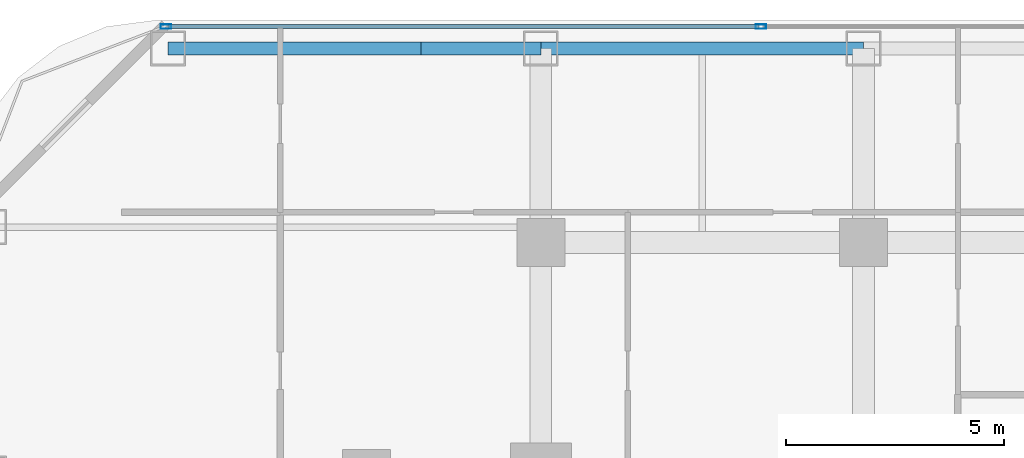
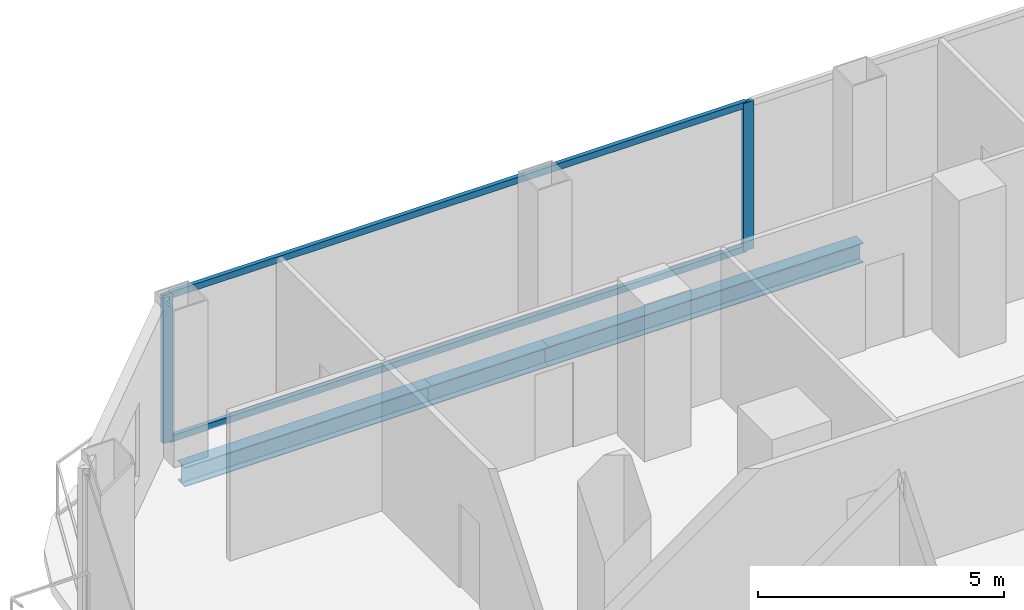
# One storey, part 15 of 29: 4 members, 3 beams, 1 element without a shape of its own.
"""IFC4 building model written with IfcOpenShell, lengths in metres."""

from ifc_helpers import new_model, si_unit, direction, frame, origin, origin_2d, place, context, subcontext, project, spatial, hollow_rectangle, i_section, extrude, material, layer, layer_set, material_profile, profile_set, type_object, element, aggregate, save


model = new_model("IFC4")

# Units and contexts
model_context = context("Model", 3, precision=1e-05, world=origin(), true_north=direction((0.0, 1.0)))
body_context = subcontext(model_context, "Body", "Model", "MODEL_VIEW")
ifc_project = project(units=[si_unit("LENGTHUNIT", "METRE"), si_unit("AREAUNIT", "SQUARE_METRE"), si_unit("VOLUMEUNIT", "CUBIC_METRE"), si_unit("PLANEANGLEUNIT", "RADIAN"), si_unit("MASSUNIT", "GRAM", prefix="KILO")], contexts=[model_context])

# Site, building, storey
site_placement = place(None, origin())
site = spatial("IfcSite", under=ifc_project, at=site_placement, CompositionType="ELEMENT")
building_placement = place(site_placement, origin())
building = spatial("IfcBuilding", under=site, at=building_placement, Name="Khorvyn Point Tower", CompositionType="ELEMENT")
storey_placement = place(building_placement, frame((0.0, 0.0, 54.0)))
storey = spatial("IfcBuildingStorey", under=building, at=storey_placement, Name="L14", CompositionType="ELEMENT", Elevation=54.0)

# Curtain wall, members
ifc_material_1 = material(Name="Anodised aluminium 6063-T6 and laminated Low-E glass", Category="aluminium")
ifc_layer = layer(ifc_material_1, 0.18994140625)
ifc_layer_set = layer_set([ifc_layer], Name="Stick-Built Finned Residential Curtain Wall CW-SYS-02")
curtain_wall_type = type_object("IfcCurtainWallType", Name="Stick-Built Finned Residential Curtain Wall CW-SYS-02", PredefinedType="NOTDEFINED", material=ifc_layer_set)
curtain_wall_placement = place(storey_placement, origin())
curtain_wall = element("IfcCurtainWall", 1, at=curtain_wall_placement, inside=storey, type_object=curtain_wall_type, Name="Curtain Wall", PredefinedType="NOTDEFINED")
ifc_material_2 = material(Name="Anodised aluminium 6063-T6", Category="aluminium")
ifc_material_profile_1 = material_profile(ifc_material_2, hollow_rectangle(XDim=0.10009765625, YDim=0.239990234375, WallThickness=0.0048828125, at=origin_2d()))
ifc_profile_set_1 = profile_set([ifc_material_profile_1], Name="Anodised aluminium 6063-T6 ALU-MUL-100x240")
member_type_1 = type_object("IfcMemberType", Name="Anodised Aluminium 6063-T6 Mullion ALU-MUL-100x240", PredefinedType="MULLION", material=ifc_profile_set_1)
member_1_placement = place(storey_placement, frame((-23.39990234375, 25.050048828125, 0.0), z_axis=(0.0, 0.0, 1.0), x_axis=(0.0, 1.0, 0.0)))
member_1 = element("IfcMember", 2, at=member_1_placement, type_object=member_type_1, Name="Transom", PredefinedType="MULLION", context=body_context, shape_type="SweptSolid", body=[
    extrude(hollow_rectangle(XDim=0.10009765625, YDim=0.239990234375, WallThickness=0.0048828125, at=origin_2d()), origin(), (0.0, 0.0, 1.0), 3.679931640625),
])
member_2_placement = place(storey_placement, frame((-9.75, 25.050048828125, 0.0), z_axis=(0.0, 0.0, 1.0), x_axis=(0.0, 1.0, 0.0)))
member_2 = element("IfcMember", 3, at=member_2_placement, type_object=member_type_1, Name="Transom", PredefinedType="MULLION", context=body_context, shape_type="SweptSolid", body=[
    extrude(hollow_rectangle(XDim=0.10009765625, YDim=0.239990234375, WallThickness=0.0048828125, at=origin_2d()), origin(), (0.0, 0.0, 1.0), 3.679931640625),
])
ifc_material_profile_2 = material_profile(ifc_material_2, hollow_rectangle(XDim=0.10009765625, YDim=0.159912109375, WallThickness=0.00439453125, at=origin_2d()))
ifc_profile_set_2 = profile_set([ifc_material_profile_2], Name="Anodised aluminium 6063-T6 ALU-TRN-100x160")
member_type_2 = type_object("IfcMemberType", Name="Anodised Aluminium 6063-T6 Transom ALU-TRN-100x160", PredefinedType="USERDEFINED", material=ifc_profile_set_2)
member_3_placement = place(storey_placement, frame((-23.35009765625, 25.050048828125, 0.050048828125), z_axis=(1.0, 0.0, 0.0), x_axis=(0.0, 1.0, 0.0)))
member_3 = element("IfcMember", 4, at=member_3_placement, type_object=member_type_2, Name="Transom", ObjectType="TRANSOM", PredefinedType="USERDEFINED", context=body_context, shape_type="SweptSolid", body=[
    extrude(hollow_rectangle(XDim=0.10009765625, YDim=0.159912109375, WallThickness=0.00439453125, at=origin_2d()), origin(), (0.0, 0.0, 1.0), 13.550048828125),
])
member_4_placement = place(storey_placement, frame((-23.35009765625, 25.050048828125, 3.6298828125), z_axis=(1.0, 0.0, 0.0), x_axis=(0.0, 1.0, 0.0)))
member_4 = element("IfcMember", 5, at=member_4_placement, type_object=member_type_2, Name="Transom", ObjectType="TRANSOM", PredefinedType="USERDEFINED", context=body_context, shape_type="SweptSolid", body=[
    extrude(hollow_rectangle(XDim=0.10009765625, YDim=0.159912109375, WallThickness=0.00439453125, at=origin_2d()), origin(), (0.0, 0.0, 1.0), 13.550048828125),
])
aggregate(curtain_wall, [member_1, member_2, member_3, member_4])

# Beams
ifc_material_3 = material(Name="Steel S355", Category="steel")
ifc_material_profile_3 = material_profile(ifc_material_3, i_section(OverallWidth=0.300048828125, OverallDepth=0.488037109375, WebThickness=0.010986328125, FlangeThickness=0.01806640625, at=origin_2d()))
ifc_profile_set_3 = profile_set([ifc_material_profile_3], Name="Steel S355 H488x300x11x18")
beam_type = type_object("IfcBeamType", Name="Steel S355 Spandrel H488x300x11x18", PredefinedType="SPANDREL", material=ifc_profile_set_3)
beam_1_placement = place(storey_placement, frame((-23.35009765625, 24.550048828125, -0.52392578125), z_axis=(1.0, 0.0, 0.0), x_axis=(0.0, 1.0, 0.0)))
element("IfcBeam", 6, at=beam_1_placement, inside=storey, type_object=beam_type, Name="Beam", PredefinedType="SPANDREL", context=body_context, shape_type="SweptSolid", body=[
    extrude(i_section(OverallWidth=0.300048828125, OverallDepth=0.488037109375, WebThickness=0.010986328125, FlangeThickness=0.01806640625, at=origin_2d()), origin(), (0.0, 0.0, 1.0), 5.800048828125),
])
beam_2_placement = place(storey_placement, frame((-17.550048828125, 24.550048828125, -0.52392578125), z_axis=(1.0, 0.0, 0.0), x_axis=(0.0, 1.0, 0.0)))
element("IfcBeam", 7, at=beam_2_placement, inside=storey, type_object=beam_type, Name="Beam", PredefinedType="SPANDREL", context=body_context, shape_type="SweptSolid", body=[
    extrude(i_section(OverallWidth=0.300048828125, OverallDepth=0.488037109375, WebThickness=0.010986328125, FlangeThickness=0.01806640625, at=origin_2d()), origin(), (0.0, 0.0, 1.0), 2.75),
])
beam_3_placement = place(storey_placement, frame((-14.800048828125, 24.550048828125, -0.52392578125), z_axis=(1.0, 0.0, 0.0), x_axis=(0.0, 1.0, 0.0)))
element("IfcBeam", 8, at=beam_3_placement, inside=storey, type_object=beam_type, Name="Beam", PredefinedType="SPANDREL", context=body_context, shape_type="SweptSolid", body=[
    extrude(i_section(OverallWidth=0.300048828125, OverallDepth=0.488037109375, WebThickness=0.010986328125, FlangeThickness=0.01806640625, at=origin_2d()), origin(), (0.0, 0.0, 1.0), 7.400146484375),
])

save(model, "model.ifc")
